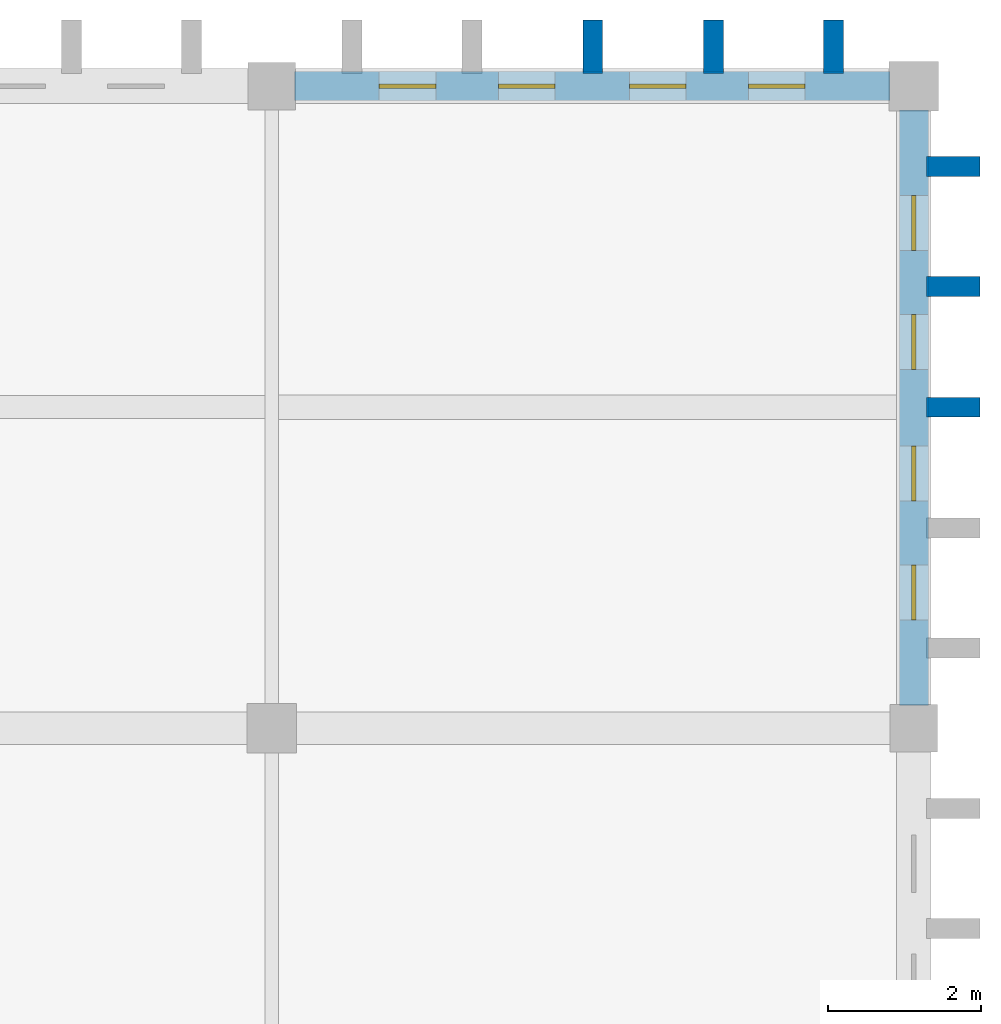
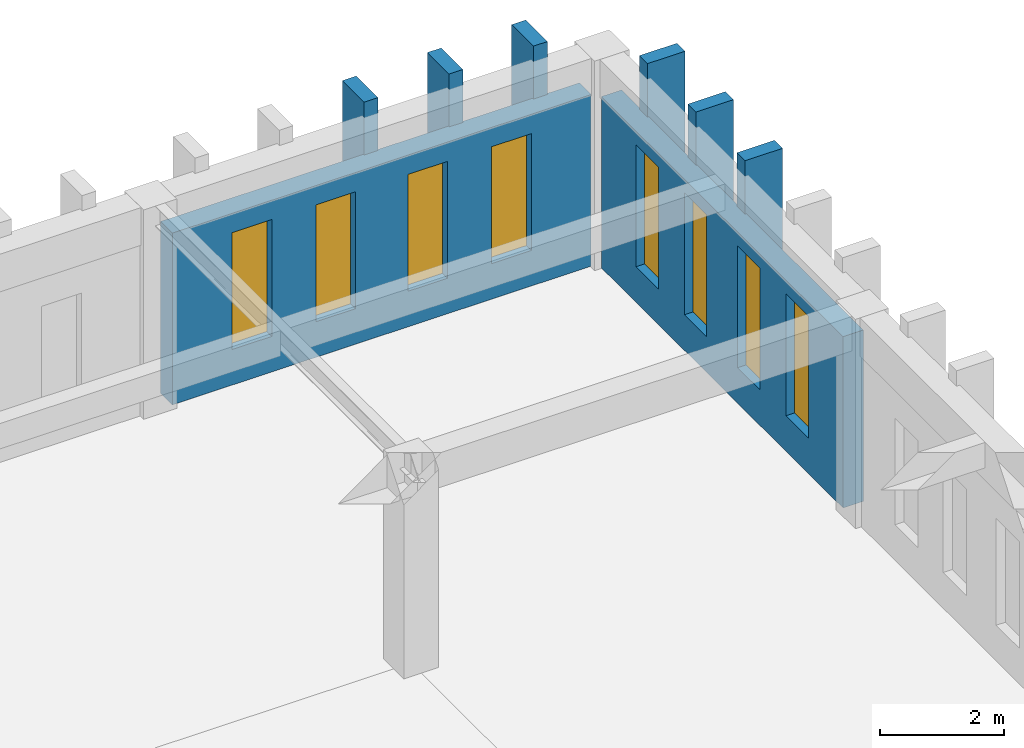
# One storey, part 180 of 192: 8 walls, 8 windows, 8 openings.
"""IFC4 building model written with IfcOpenShell, lengths in metres."""

from ifc_helpers import new_model, si_unit, direction, frame, frame_2d, origin, place, context, subcontext, project, spatial, rectangle, extrude, material, layer, layer_set, type_object, element, fill, save


model = new_model("IFC4")

# Units and contexts
model_context = context("Model", 3, precision=1e-05, world=origin(), true_north=direction((0.0, 1.0)))
body_context = subcontext(model_context, "Body", "Model", "MODEL_VIEW")
ifc_project = project(units=[si_unit("LENGTHUNIT", "METRE"), si_unit("AREAUNIT", "SQUARE_METRE"), si_unit("VOLUMEUNIT", "CUBIC_METRE"), si_unit("PLANEANGLEUNIT", "RADIAN"), si_unit("MASSUNIT", "GRAM", prefix="KILO")], contexts=[model_context])

# Site, building, storey
site_placement = place(None, origin())
site = spatial("IfcSite", under=ifc_project, at=site_placement, CompositionType="ELEMENT")
building_placement = place(site_placement, origin())
building = spatial("IfcBuilding", under=site, at=building_placement, Name="Kveldsbrygga Polytechnic", CompositionType="ELEMENT")
storey_placement = place(building_placement, frame((0.0, 0.0, 5.43994140625)))
storey = spatial("IfcBuildingStorey", under=building, at=storey_placement, Name="L01", CompositionType="ELEMENT", Elevation=5.43994140625)

# Wall, openings, windows
ifc_material_1 = material(Name="Fired clay brick masonry M10", Category="masonry")
ifc_layer_1 = layer(ifc_material_1, 0.3798828125)
ifc_layer_set_1 = layer_set([ifc_layer_1], Name="Fired clay brick masonry M10")
wall_type_1 = type_object("IfcWallType", Name="EW-BRICK-380", PredefinedType="SOLIDWALL", material=ifc_layer_set_1)
wall_1_placement = place(storey_placement, frame((159.89501953125, 117.60009765625, 0.0), z_axis=(0.0, 0.0, 1.0), x_axis=(1.0, 0.0, 0.0)))
wall_1 = element("IfcWall", 1, at=wall_1_placement, inside=storey, type_object=wall_type_1, Name="Exterior Brick Wall EW-L01-X-19-14", PredefinedType="SOLIDWALL", context=body_context, shape_type="SweptSolid", body=[
    extrude(rectangle(XDim=7.794921875, YDim=0.3798828125, at=frame_2d((3.8974609375, 0.0))), origin(), (0.0, 0.0, 1.0), 3.380126953125),
])
opening_1_placement = place(wall_1_placement, frame((1.111083984375, 0.0, 0.699951171875)))
opening_1 = element("IfcOpeningElement", 2, at=opening_1_placement, cuts=wall_1, Name="Opening W-04", PredefinedType="OPENING", context=body_context, shape_type="SweptSolid", body=[
    extrude(rectangle(XDim=0.739990234375, YDim=2.300048828125, at=frame_2d((0.3701171875, 1.14990234375))), frame((0.0, 0.199951171875, 0.0), z_axis=(0.0, -1.0, 0.0), x_axis=(1.0, 0.0, 0.0)), (0.0, 0.0, 1.0), 0.39990234375),
])
opening_2_placement = place(wall_1_placement, frame((2.670166015625, 0.0, 0.699951171875)))
opening_2 = element("IfcOpeningElement", 3, at=opening_2_placement, cuts=wall_1, Name="Opening W-04", PredefinedType="OPENING", context=body_context, shape_type="SweptSolid", body=[
    extrude(rectangle(XDim=0.739990234375, YDim=2.300048828125, at=frame_2d((0.3701171875, 1.14990234375))), frame((0.0, 0.199951171875, 0.0), z_axis=(0.0, -1.0, 0.0), x_axis=(1.0, 0.0, 0.0)), (0.0, 0.0, 1.0), 0.39990234375),
])
opening_3_placement = place(wall_1_placement, frame((4.385009765625, 0.0, 0.699951171875)))
opening_3 = element("IfcOpeningElement", 4, at=opening_3_placement, cuts=wall_1, Name="Opening W-04", PredefinedType="OPENING", context=body_context, shape_type="SweptSolid", body=[
    extrude(rectangle(XDim=0.739990234375, YDim=2.300048828125, at=frame_2d((0.3701171875, 1.14990234375))), frame((0.0, 0.199951171875, 0.0), z_axis=(0.0, -1.0, 0.0), x_axis=(1.0, 0.0, 0.0)), (0.0, 0.0, 1.0), 0.39990234375),
])
opening_4_placement = place(wall_1_placement, frame((5.94384765625, 0.0, 0.699951171875)))
opening_4 = element("IfcOpeningElement", 5, at=opening_4_placement, cuts=wall_1, Name="Opening W-04", PredefinedType="OPENING", context=body_context, shape_type="SweptSolid", body=[
    extrude(rectangle(XDim=0.739990234375, YDim=2.300048828125, at=frame_2d((0.3701171875, 1.14990234375))), frame((0.0, 0.199951171875, 0.0), z_axis=(0.0, -1.0, 0.0), x_axis=(1.0, 0.0, 0.0)), (0.0, 0.0, 1.0), 0.39990234375),
])
ifc_material_2 = material(Name="Insulated triple low-E glass", Category="glass")
window_type_1 = type_object("IfcWindowType", Name="WN-LANC-074x230", PartitioningType="DOUBLE_PANEL_VERTICAL", PredefinedType="WINDOW", material=ifc_material_2)
window_1_placement = place(opening_1_placement, origin())
window_1 = element("IfcWindow", 6, at=window_1_placement, inside=storey, type_object=window_type_1, Name="Gothic Lancet Window WIN-L01-X-19-14-1", OverallHeight=2.300048828125, OverallWidth=0.739990234375, PartitioningType="DOUBLE_PANEL_VERTICAL", PredefinedType="WINDOW", context=body_context, shape_type="SweptSolid", body=[
    extrude(rectangle(XDim=0.739990234375, YDim=2.300048828125, at=frame_2d((0.3701171875, 1.14990234375))), frame((0.0, 0.030029296875, 0.0), z_axis=(0.0, -1.0, 0.0), x_axis=(1.0, 0.0, 0.0)), (0.0, 0.0, 1.0), 0.06005859375),
])
fill(opening_1, window_1)
window_2_placement = place(opening_2_placement, origin())
window_2 = element("IfcWindow", 7, at=window_2_placement, inside=storey, type_object=window_type_1, Name="Gothic Lancet Window WIN-L01-X-19-14-2", OverallHeight=2.300048828125, OverallWidth=0.739990234375, PartitioningType="DOUBLE_PANEL_VERTICAL", PredefinedType="WINDOW", context=body_context, shape_type="SweptSolid", body=[
    extrude(rectangle(XDim=0.739990234375, YDim=2.300048828125, at=frame_2d((0.3701171875, 1.14990234375))), frame((0.0, 0.030029296875, 0.0), z_axis=(0.0, -1.0, 0.0), x_axis=(1.0, 0.0, 0.0)), (0.0, 0.0, 1.0), 0.06005859375),
])
fill(opening_2, window_2)
window_3_placement = place(opening_3_placement, origin())
window_3 = element("IfcWindow", 8, at=window_3_placement, inside=storey, type_object=window_type_1, Name="Gothic Lancet Window WIN-L01-X-19-14-3", OverallHeight=2.300048828125, OverallWidth=0.739990234375, PartitioningType="DOUBLE_PANEL_VERTICAL", PredefinedType="WINDOW", context=body_context, shape_type="SweptSolid", body=[
    extrude(rectangle(XDim=0.739990234375, YDim=2.300048828125, at=frame_2d((0.3701171875, 1.14990234375))), frame((0.0, 0.030029296875, 0.0), z_axis=(0.0, -1.0, 0.0), x_axis=(1.0, 0.0, 0.0)), (0.0, 0.0, 1.0), 0.06005859375),
])
fill(opening_3, window_3)
window_4_placement = place(opening_4_placement, origin())
window_4 = element("IfcWindow", 9, at=window_4_placement, inside=storey, type_object=window_type_1, Name="Gothic Lancet Window WIN-L01-X-19-14-4", OverallHeight=2.300048828125, OverallWidth=0.739990234375, PartitioningType="DOUBLE_PANEL_VERTICAL", PredefinedType="WINDOW", context=body_context, shape_type="SweptSolid", body=[
    extrude(rectangle(XDim=0.739990234375, YDim=2.300048828125, at=frame_2d((0.3701171875, 1.14990234375))), frame((0.0, 0.030029296875, 0.0), z_axis=(0.0, -1.0, 0.0), x_axis=(1.0, 0.0, 0.0)), (0.0, 0.0, 1.0), 0.06005859375),
])
fill(opening_4, window_4)

wall_2_placement = place(storey_placement, frame((168.0, 109.4951171875, 0.0), z_axis=(0.0, 0.0, 1.0), x_axis=(0.0, 1.0, 0.0)))
wall_2 = element("IfcWall", 10, at=wall_2_placement, inside=storey, type_object=wall_type_1, Name="Exterior Brick Wall EW-L01-Y-20-13", PredefinedType="SOLIDWALL", context=body_context, shape_type="SweptSolid", body=[
    extrude(rectangle(XDim=7.794921875, YDim=0.3798828125, at=frame_2d((3.8974609375, 0.0))), origin(), (0.0, 0.0, 1.0), 3.3701171875),
])
opening_5_placement = place(wall_2_placement, frame((1.12109375, 0.0, 0.699951171875)))
opening_5 = element("IfcOpeningElement", 11, at=opening_5_placement, cuts=wall_2, Name="Opening W-02", PredefinedType="OPENING", context=body_context, shape_type="SweptSolid", body=[
    extrude(rectangle(XDim=0.719970703125, YDim=2.39990234375, at=frame_2d((0.35986328125, 1.199951171875))), frame((0.0, 0.199951171875, 0.0), z_axis=(0.0, -1.0, 0.0), x_axis=(1.0, 0.0, 0.0)), (0.0, 0.0, 1.0), 0.39990234375),
])
opening_6_placement = place(wall_2_placement, frame((2.679931640625, 0.0, 0.699951171875)))
opening_6 = element("IfcOpeningElement", 12, at=opening_6_placement, cuts=wall_2, Name="Opening W-02", PredefinedType="OPENING", context=body_context, shape_type="SweptSolid", body=[
    extrude(rectangle(XDim=0.719970703125, YDim=2.39990234375, at=frame_2d((0.35986328125, 1.199951171875))), frame((0.0, 0.199951171875, 0.0), z_axis=(0.0, -1.0, 0.0), x_axis=(1.0, 0.0, 0.0)), (0.0, 0.0, 1.0), 0.39990234375),
])
opening_7_placement = place(wall_2_placement, frame((4.39501953125, 0.0, 0.699951171875)))
opening_7 = element("IfcOpeningElement", 13, at=opening_7_placement, cuts=wall_2, Name="Opening W-02", PredefinedType="OPENING", context=body_context, shape_type="SweptSolid", body=[
    extrude(rectangle(XDim=0.719970703125, YDim=2.39990234375, at=frame_2d((0.35986328125, 1.199951171875))), frame((0.0, 0.199951171875, 0.0), z_axis=(0.0, -1.0, 0.0), x_axis=(1.0, 0.0, 0.0)), (0.0, 0.0, 1.0), 0.39990234375),
])
opening_8_placement = place(wall_2_placement, frame((5.953857421875, 0.0, 0.699951171875)))
opening_8 = element("IfcOpeningElement", 14, at=opening_8_placement, cuts=wall_2, Name="Opening W-02", PredefinedType="OPENING", context=body_context, shape_type="SweptSolid", body=[
    extrude(rectangle(XDim=0.719970703125, YDim=2.39990234375, at=frame_2d((0.35986328125, 1.199951171875))), frame((0.0, 0.199951171875, 0.0), z_axis=(0.0, -1.0, 0.0), x_axis=(1.0, 0.0, 0.0)), (0.0, 0.0, 1.0), 0.39990234375),
])
window_type_2 = type_object("IfcWindowType", Name="WN-LANC-072x240", PartitioningType="DOUBLE_PANEL_VERTICAL", PredefinedType="WINDOW", material=ifc_material_2)
window_5_placement = place(opening_5_placement, origin())
window_5 = element("IfcWindow", 15, at=window_5_placement, inside=storey, type_object=window_type_2, Name="Gothic Lancet Window WIN-L01-Y-20-13-1", OverallHeight=2.39990234375, OverallWidth=0.719970703125, PartitioningType="DOUBLE_PANEL_VERTICAL", PredefinedType="WINDOW", context=body_context, shape_type="SweptSolid", body=[
    extrude(rectangle(XDim=0.719970703125, YDim=2.39990234375, at=frame_2d((0.35986328125, 1.199951171875))), frame((0.0, 0.030029296875, 0.0), z_axis=(0.0, -1.0, 0.0), x_axis=(1.0, 0.0, 0.0)), (0.0, 0.0, 1.0), 0.06005859375),
])
fill(opening_5, window_5)
window_6_placement = place(opening_6_placement, origin())
window_6 = element("IfcWindow", 16, at=window_6_placement, inside=storey, type_object=window_type_2, Name="Gothic Lancet Window WIN-L01-Y-20-13-2", OverallHeight=2.39990234375, OverallWidth=0.719970703125, PartitioningType="DOUBLE_PANEL_VERTICAL", PredefinedType="WINDOW", context=body_context, shape_type="SweptSolid", body=[
    extrude(rectangle(XDim=0.719970703125, YDim=2.39990234375, at=frame_2d((0.35986328125, 1.199951171875))), frame((0.0, 0.030029296875, 0.0), z_axis=(0.0, -1.0, 0.0), x_axis=(1.0, 0.0, 0.0)), (0.0, 0.0, 1.0), 0.06005859375),
])
fill(opening_6, window_6)
window_7_placement = place(opening_7_placement, origin())
window_7 = element("IfcWindow", 17, at=window_7_placement, inside=storey, type_object=window_type_2, Name="Gothic Lancet Window WIN-L01-Y-20-13-3", OverallHeight=2.39990234375, OverallWidth=0.719970703125, PartitioningType="DOUBLE_PANEL_VERTICAL", PredefinedType="WINDOW", context=body_context, shape_type="SweptSolid", body=[
    extrude(rectangle(XDim=0.719970703125, YDim=2.39990234375, at=frame_2d((0.35986328125, 1.199951171875))), frame((0.0, 0.030029296875, 0.0), z_axis=(0.0, -1.0, 0.0), x_axis=(1.0, 0.0, 0.0)), (0.0, 0.0, 1.0), 0.06005859375),
])
fill(opening_7, window_7)
window_8_placement = place(opening_8_placement, origin())
window_8 = element("IfcWindow", 18, at=window_8_placement, inside=storey, type_object=window_type_2, Name="Gothic Lancet Window WIN-L01-Y-20-13-4", OverallHeight=2.39990234375, OverallWidth=0.719970703125, PartitioningType="DOUBLE_PANEL_VERTICAL", PredefinedType="WINDOW", context=body_context, shape_type="SweptSolid", body=[
    extrude(rectangle(XDim=0.719970703125, YDim=2.39990234375, at=frame_2d((0.35986328125, 1.199951171875))), frame((0.0, 0.030029296875, 0.0), z_axis=(0.0, -1.0, 0.0), x_axis=(1.0, 0.0, 0.0)), (0.0, 0.0, 1.0), 0.06005859375),
])
fill(opening_8, window_8)

# Walls
ifc_layer_2 = layer(ifc_material_1, 0.260009765625)
ifc_layer_set_2 = layer_set([ifc_layer_2], Name="Fired clay brick masonry M10")
wall_type_2 = type_object("IfcWallType", Name="EW-BUTT-260", PredefinedType="SOLIDWALL", material=ifc_layer_set_2)
for number, where, z_axis, x_axis, name in (
    (19, (163.800048828125, 117.764892578125, 0.0), (0.0, 0.0, 1.0), (0.0, 1.0, 0.0), "Gothic Brick Buttress Pier BUTT-L01-X-19-14-3"),
    (20, (165.3798828125, 117.764892578125, 0.0), (0.0, 0.0, 1.0), (0.0, 1.0, 0.0), "Gothic Brick Buttress Pier BUTT-L01-X-19-14-4"),
    (21, (166.949951171875, 117.764892578125, 0.0), (0.0, 0.0, 1.0), (0.0, 1.0, 0.0), "Gothic Brick Buttress Pier BUTT-L01-X-19-14-5"),
):
    element("IfcWall", number, at=place(storey_placement, frame(where, z_axis=z_axis, x_axis=x_axis)), inside=storey, type_object=wall_type_2, Name=name, PredefinedType="SOLIDWALL", context=body_context, shape_type="SweptSolid", body=[
        extrude(rectangle(XDim=0.7001953125, YDim=0.260009765625, at=frame_2d((0.35009765625, 0.0))), origin(), (0.0, 0.0, 1.0), 4.420166015625),
    ])
for number, where, z_axis, x_axis, name in (
    (22, (168.1650390625, 113.39990234375, 0.0), (0.0, 0.0, 1.0), (1.0, 0.0, 0.0), "Gothic Brick Buttress Pier BUTT-L01-Y-20-13-3"),
    (23, (168.1650390625, 114.97998046875, 0.0), (0.0, 0.0, 1.0), (1.0, 0.0, 0.0), "Gothic Brick Buttress Pier BUTT-L01-Y-20-13-4"),
    (24, (168.1650390625, 116.550048828125, 0.0), (0.0, 0.0, 1.0), (1.0, 0.0, 0.0), "Gothic Brick Buttress Pier BUTT-L01-Y-20-13-5"),
):
    element("IfcWall", number, at=place(storey_placement, frame(where, z_axis=z_axis, x_axis=x_axis)), inside=storey, type_object=wall_type_2, Name=name, PredefinedType="SOLIDWALL", context=body_context, shape_type="SweptSolid", body=[
        extrude(rectangle(XDim=0.699951171875, YDim=0.260009765625, at=frame_2d((0.35009765625, 0.0))), origin(), (0.0, 0.0, 1.0), 4.420166015625),
    ])

save(model, "model.ifc")
